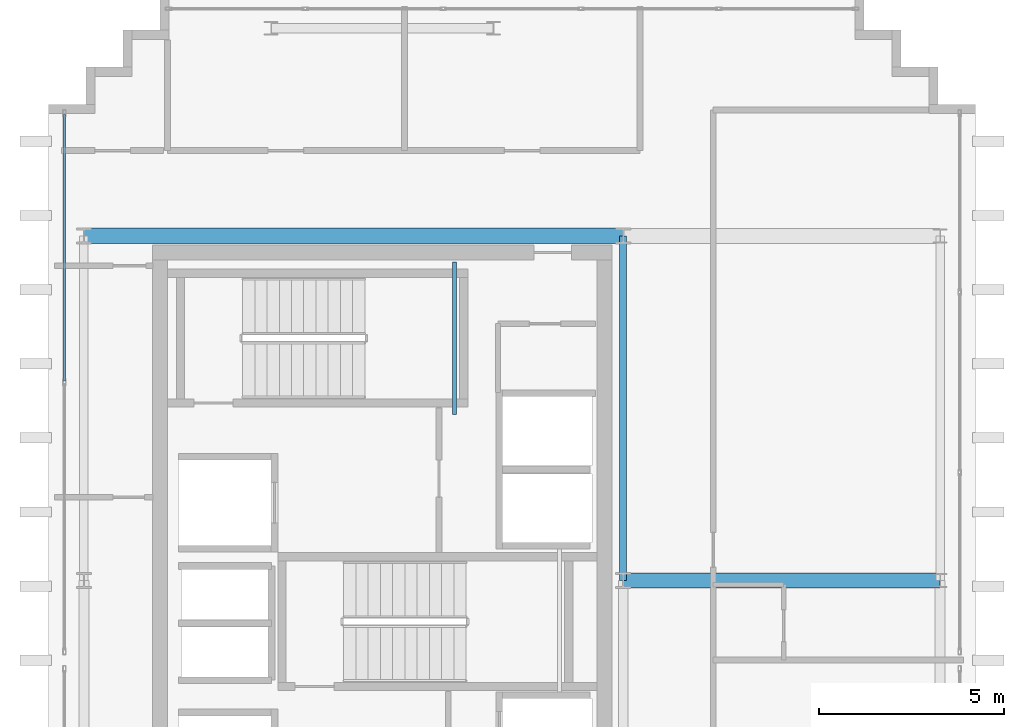
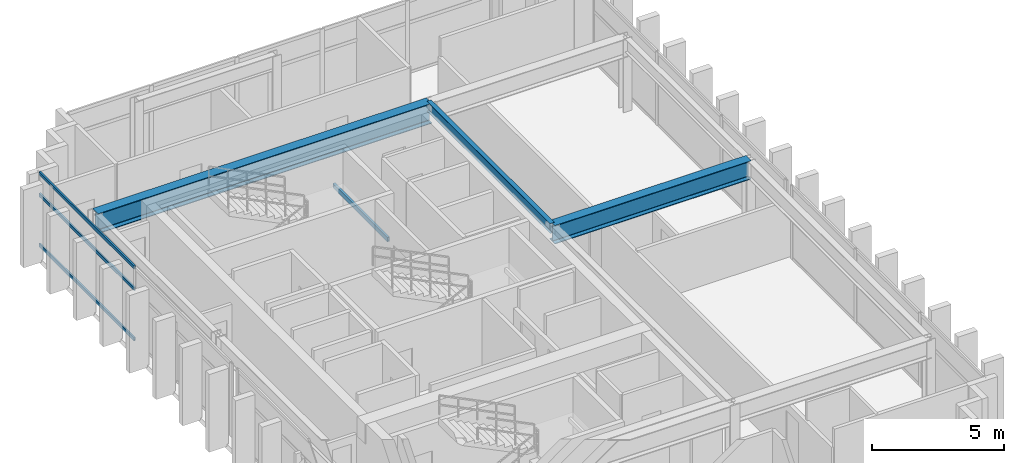
# One storey, part 7 of 15: 4 beams, 3 members, 1 element without a shape of its own.
"""IFC4 building model written with IfcOpenShell, lengths in metres."""

from ifc_helpers import new_model, si_unit, direction, frame, origin, origin_2d, place, context, subcontext, project, spatial, hollow_rectangle, i_section, extrude, source, transform, mapped, material, layer, layer_set, material_profile, profile_set, type_object, element, aggregate, save


model = new_model("IFC4")

# Units and contexts
model_context = context("Model", 3, precision=1e-05, world=origin(), true_north=direction((0.0, 1.0)))
body_context = subcontext(model_context, "Body", "Model", "MODEL_VIEW")
ifc_project = project(units=[si_unit("LENGTHUNIT", "METRE"), si_unit("AREAUNIT", "SQUARE_METRE"), si_unit("VOLUMEUNIT", "CUBIC_METRE"), si_unit("PLANEANGLEUNIT", "RADIAN"), si_unit("MASSUNIT", "GRAM", prefix="KILO")], contexts=[model_context])

# Site, building, storey
site_placement = place(None, origin())
site = spatial("IfcSite", under=ifc_project, at=site_placement, CompositionType="ELEMENT")
building_placement = place(site_placement, origin())
building = spatial("IfcBuilding", under=site, at=building_placement, Name="Ocotamira Hotel", CompositionType="ELEMENT")
storey_placement = place(building_placement, frame((0.0, 0.0, 294.0)))
storey = spatial("IfcBuildingStorey", under=building, at=storey_placement, Name="L75", CompositionType="ELEMENT", Elevation=294.0)

# Beams
ifc_material_1 = material(Name="Steel ASTM A500 Grade C", Category="steel")
ifc_material_profile_1 = material_profile(ifc_material_1, hollow_rectangle(XDim=0.10009765625, YDim=0.199951171875, WallThickness=0.008056640625, at=origin_2d()), Name="HSS200X100X8")
ifc_profile_set_1 = profile_set([ifc_material_profile_1], Name="Steel ASTM A500 Grade C")
beam_type_1 = type_object("IfcBeamType", Name="BM-STLDG-HSS200", PredefinedType="BEAM", material=ifc_profile_set_1)
shared_shape_1 = source(origin(), body_context, "Body", "SweptSolid", [
    extrude(hollow_rectangle(XDim=0.10009765625, YDim=0.199951171875, WallThickness=0.008056640625, at=origin_2d()), origin(), (0.0, 0.0, 1.0), 4.1201171875),
])
beam_1_placement = place(storey_placement, frame((18.949951171875, 32.6298828125, 1.5), z_axis=(0.0, 1.0, 0.0), x_axis=(-1.0, 0.0, 0.0)))
element("IfcBeam", 1, at=beam_1_placement, inside=storey, type_object=beam_type_1, Name="L75 Stair ST-2 Landing Bearer 1", PredefinedType="BEAM", context=body_context, shape_type="MappedRepresentation", body=[
    mapped(shared_shape_1, transform((0.0, 0.0, 0.0), scale=1.0)),
])
ifc_material_2 = material(Name="Steel ASTM A992 Grade 50", Category="steel")
ifc_material_profile_2 = material_profile(ifc_material_2, i_section(OverallWidth=0.41796875, OverallDepth=0.927001953125, WebThickness=0.019287109375, FlangeThickness=0.031982421875, FilletRadius=0.02392578125, at=origin_2d()), Name="W36X231")
ifc_profile_set_2 = profile_set([ifc_material_profile_2], Name="Steel ASTM A992 Grade 50")
beam_type_2 = type_object("IfcBeamType", Name="BM-GIRD-W36X231", PredefinedType="BEAM", material=ifc_profile_set_2)
shared_shape_2 = source(origin(), body_context, "Body", "SweptSolid", [
    extrude(i_section(OverallWidth=0.41796875, OverallDepth=0.927001953125, WebThickness=0.019287109375, FlangeThickness=0.031982421875, FilletRadius=0.02392578125, at=origin_2d()), origin(), (0.0, 0.0, 1.0), 14.550048828125),
])
beam_2_placement = place(storey_placement, frame((8.949951171875, 37.449951171875, 2.91650390625), z_axis=(1.0, 0.0, 0.0), x_axis=(0.0, 1.0, 0.0)))
element("IfcBeam", 2, at=beam_2_placement, inside=storey, type_object=beam_type_2, Name="L75 Girder Y37.45 X8.95-23.5", PredefinedType="BEAM", context=body_context, shape_type="MappedRepresentation", body=[
    mapped(shared_shape_2, transform((0.0, 0.0, 0.0), scale=1.0)),
])
ifc_material_profile_3 = material_profile(ifc_material_2, i_section(OverallWidth=0.18994140625, OverallDepth=0.45703125, WebThickness=0.009033203125, FlangeThickness=0.014404296875, FilletRadius=0.010009765625, at=origin_2d()), Name="W18X50")
ifc_profile_set_3 = profile_set([ifc_material_profile_3], Name="Steel ASTM A992 Grade 50")
beam_type_3 = type_object("IfcBeamType", Name="BM-SEC-W18X50", PredefinedType="JOIST", material=ifc_profile_set_3)
shared_shape_3 = source(origin(), body_context, "Body", "SweptSolid", [
    extrude(i_section(OverallWidth=0.18994140625, OverallDepth=0.45703125, WebThickness=0.009033203125, FlangeThickness=0.014404296875, FilletRadius=0.010009765625, at=origin_2d()), origin(), (0.0, 0.0, 1.0), 9.300048828125),
])
beam_3_placement = place(storey_placement, frame((23.5, 28.14990234375, 3.151611328125), z_axis=(0.0, 1.0, 0.0), x_axis=(-1.0, 0.0, 0.0)))
element("IfcBeam", 3, at=beam_3_placement, inside=storey, type_object=beam_type_3, Name="L75 Beam X23.5 Y28.15-37.45", PredefinedType="JOIST", context=body_context, shape_type="MappedRepresentation", body=[
    mapped(shared_shape_3, transform((0.0, 0.0, 0.0), scale=1.0)),
])
ifc_material_profile_4 = material_profile(ifc_material_2, i_section(OverallWidth=0.39990234375, OverallDepth=0.85595703125, WebThickness=0.018310546875, FlangeThickness=0.029296875, FilletRadius=0.02001953125, at=origin_2d()), Name="W33X201")
ifc_profile_set_4 = profile_set([ifc_material_profile_4], Name="Steel ASTM A992 Grade 50")
beam_type_4 = type_object("IfcBeamType", Name="BM-GIRD-W33X201", PredefinedType="BEAM", material=ifc_profile_set_4)
shared_shape_4 = source(origin(), body_context, "Body", "SweptSolid", [
    extrude(i_section(OverallWidth=0.39990234375, OverallDepth=0.85595703125, WebThickness=0.018310546875, FlangeThickness=0.029296875, FilletRadius=0.02001953125, at=origin_2d()), origin(), (0.0, 0.0, 1.0), 8.550048828125),
])
beam_4_placement = place(storey_placement, frame((23.5, 28.14990234375, 2.951904296875), z_axis=(1.0, 0.0, 0.0), x_axis=(0.0, 1.0, 0.0)))
element("IfcBeam", 4, at=beam_4_placement, inside=storey, type_object=beam_type_4, Name="L75 Girder Y28.15 X23.5-32.05", PredefinedType="BEAM", context=body_context, shape_type="MappedRepresentation", body=[
    mapped(shared_shape_4, transform((0.0, 0.0, 0.0), scale=1.0)),
])

# Curtain wall, members
ifc_material_3 = material(Name="Anodised pale-metal aluminium and solar glass", Category="aluminium")
ifc_layer = layer(ifc_material_3, 0.2099609375)
ifc_layer_set = layer_set([ifc_layer], Name="Anodised pale-metal aluminium and solar glass")
curtain_wall_type = type_object("IfcCurtainWallType", Name="CW-SYS7-PEAK", PredefinedType="NOTDEFINED", material=ifc_layer_set)
curtain_wall_placement = place(storey_placement, origin())
curtain_wall = element("IfcCurtainWall", 5, at=curtain_wall_placement, inside=storey, type_object=curtain_wall_type, Name="L75 Curtain Wall CW-7 CW-L75-W2", PredefinedType="NOTDEFINED")
ifc_material_4 = material(Name="Anodised pale-metal aluminium 6063-T6", Category="aluminium")
ifc_material_profile_5 = material_profile(ifc_material_4, hollow_rectangle(XDim=0.074951171875, YDim=0.14990234375, WallThickness=0.006103515625, at=origin_2d()), Name="HSS150X75X6")
ifc_profile_set_5 = profile_set([ifc_material_profile_5], Name="Anodised pale-metal aluminium 6063-T6")
member_type = type_object("IfcMemberType", Name="CWT-150X75", PredefinedType="USERDEFINED", material=ifc_profile_set_5)
shared_shape_5 = source(origin(), body_context, "Body", "SweptSolid", [
    extrude(hollow_rectangle(XDim=0.074951171875, YDim=0.14990234375, WallThickness=0.006103515625, at=origin_2d()), origin(), (0.0, 0.0, 1.0), 7.179931640625),
])
member_1_placement = place(storey_placement, frame((8.419921875, 33.5400390625, 0.03759765625), z_axis=(0.0, 1.0, 0.0), x_axis=(-1.0, 0.0, 0.0)))
member_1 = element("IfcMember", 6, at=member_1_placement, type_object=member_type, Name="CW-7 transom 2.1", ObjectType="TRANSOM", PredefinedType="USERDEFINED", context=body_context, shape_type="MappedRepresentation", body=[
    mapped(shared_shape_5, transform((0.0, 0.0, 0.0), scale=1.0)),
])
member_2_placement = place(storey_placement, frame((8.419921875, 33.5400390625, 2.35009765625), z_axis=(0.0, 1.0, 0.0), x_axis=(-1.0, 0.0, 0.0)))
member_2 = element("IfcMember", 7, at=member_2_placement, type_object=member_type, Name="CW-7 transom 2.2", ObjectType="TRANSOM", PredefinedType="USERDEFINED", context=body_context, shape_type="MappedRepresentation", body=[
    mapped(shared_shape_5, transform((0.0, 0.0, 0.0), scale=1.0)),
])
member_3_placement = place(storey_placement, frame((8.419921875, 33.5400390625, 3.342529296875), z_axis=(0.0, 1.0, 0.0), x_axis=(-1.0, 0.0, 0.0)))
member_3 = element("IfcMember", 8, at=member_3_placement, type_object=member_type, Name="CW-7 transom 2.3", ObjectType="TRANSOM", PredefinedType="USERDEFINED", context=body_context, shape_type="MappedRepresentation", body=[
    mapped(shared_shape_5, transform((0.0, 0.0, 0.0), scale=1.0)),
])
aggregate(curtain_wall, [member_1, member_2, member_3])

save(model, "model.ifc")
